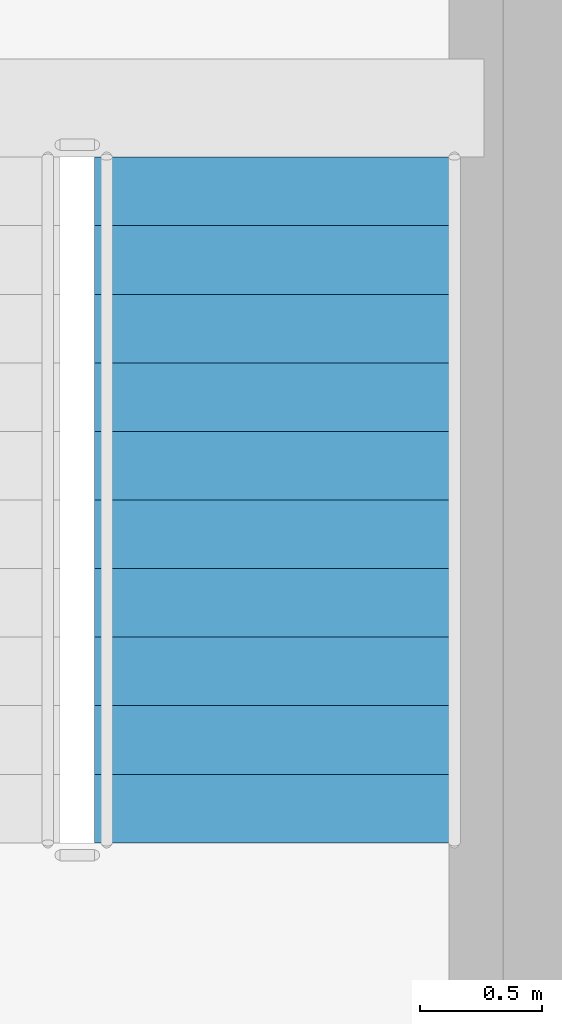
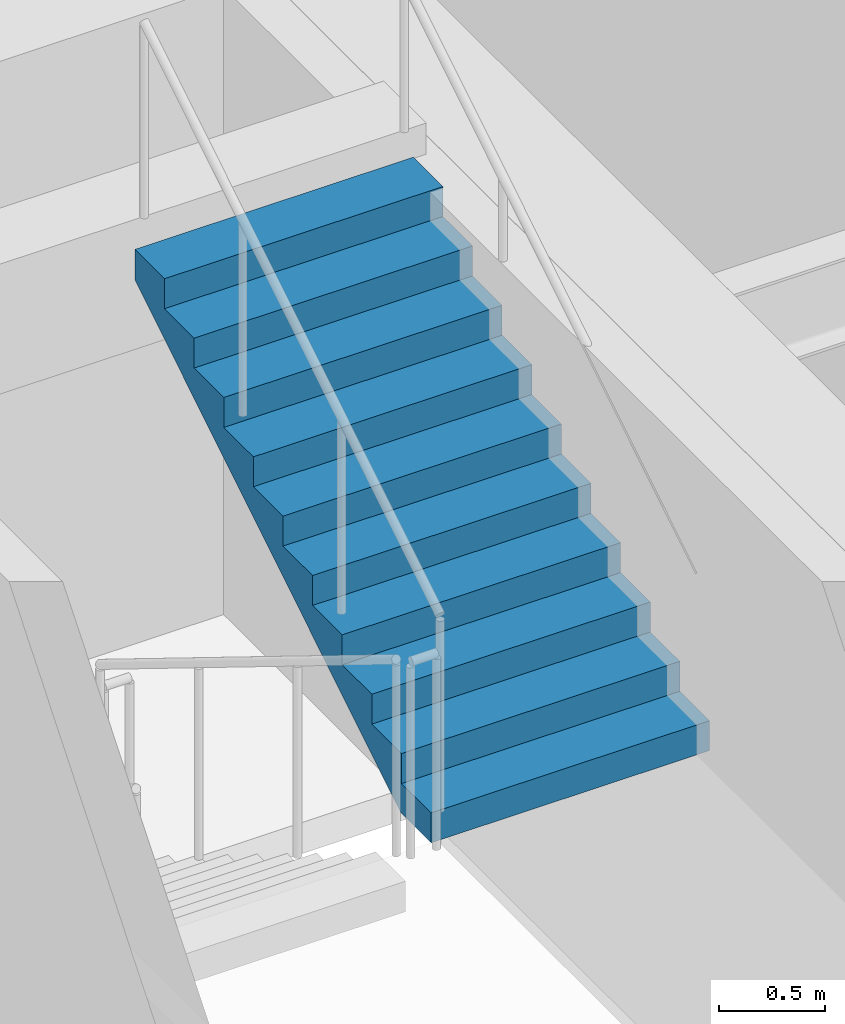
# One storey, part 10 of 12: 1 stair flight, 1 element without a shape of its own.
"""IFC4 building model written with IfcOpenShell, lengths in metres."""

from ifc_helpers import new_model, si_unit, direction, frame, origin, place, context, subcontext, project, spatial, polyline, outline, extrude, material, type_object, element, aggregate, save


model = new_model("IFC4")

# Units and contexts
model_context = context("Model", 3, precision=1e-05, world=origin(), true_north=direction((0.0, 1.0)))
body_context = subcontext(model_context, "Body", "Model", "MODEL_VIEW")
ifc_project = project(units=[si_unit("LENGTHUNIT", "METRE"), si_unit("AREAUNIT", "SQUARE_METRE"), si_unit("VOLUMEUNIT", "CUBIC_METRE"), si_unit("PLANEANGLEUNIT", "RADIAN"), si_unit("MASSUNIT", "GRAM", prefix="KILO")], contexts=[model_context])

# Site, building, storey
site_placement = place(None, origin())
site = spatial("IfcSite", under=ifc_project, at=site_placement, CompositionType="ELEMENT")
building_placement = place(site_placement, origin())
building = spatial("IfcBuilding", under=site, at=building_placement, Name="Haolan Belvedere Tower", CompositionType="ELEMENT")
storey_placement = place(building_placement, frame((0.0, 0.0, 195.60009765625)))
storey = spatial("IfcBuildingStorey", under=building, at=storey_placement, Name="L49", CompositionType="ELEMENT", Elevation=195.60009765625)

# Stair, stair flight
ifc_material = material(Name="Concrete C40/50", Category="concrete")
stair_type = type_object("IfcStairType", Name="STR-DL-22R-173", PredefinedType="HALF_TURN_STAIR", material=ifc_material)
stair_placement = place(storey_placement, origin())
stair = element("IfcStair", 1, at=stair_placement, inside=storey, type_object=stair_type, Name="L49 Smokeproof Core Exit Stair ST2", PredefinedType="HALF_TURN_STAIR")
stair_flight_type = type_object("IfcStairFlightType", Name="SFL-DL-11R-173", PredefinedType="STRAIGHT", material=ifc_material)
stair_flight_placement = place(storey_placement, frame((45.590087890625, 38.429931640625, 1.89990234375), z_axis=(0.0, 0.0, 1.0), x_axis=(0.0, 1.0, 0.0)))
stair_flight = element("IfcStairFlight", 2, at=stair_flight_placement, type_object=stair_flight_type, Name="ST2 flight 2", NumberOfRisers=11, NumberOfTreads=10, PredefinedType="STRAIGHT", RiserHeight=0.172727273, TreadLength=0.28, context=body_context, shape_type="SweptSolid", body=[
    extrude(outline(polyline([(0.0, 0.0), (0.0, 0.172607421875), (0.280029296875, 0.172607421875), (0.280029296875, 0.345458984375), (0.56005859375, 0.345458984375), (0.56005859375, 0.51806640625), (0.840087890625, 0.51806640625), (0.840087890625, 0.69091796875), (1.1201171875, 0.69091796875), (1.1201171875, 0.863525390625), (1.39990234375, 0.863525390625), (1.39990234375, 1.036376953125), (1.679931640625, 1.036376953125), (1.679931640625, 1.208984375), (1.9599609375, 1.208984375), (1.9599609375, 1.3818359375), (2.239990234375, 1.3818359375), (2.239990234375, 1.554443359375), (2.52001953125, 1.554443359375), (2.52001953125, 1.727294921875), (2.800048828125, 1.727294921875), (2.800048828125, 1.89990234375), (2.800048828125, 1.551025390625), (0.285400390625, 0.0), (0.0, 0.0)])), frame((0.0, 0.760009765625, 0.0), z_axis=(0.0, -1.0, 0.0), x_axis=(1.0, 0.0, 0.0)), (0.0, 0.0, 1.0), 1.52001953125),
])
aggregate(stair, [stair_flight])

save(model, "model.ifc")
